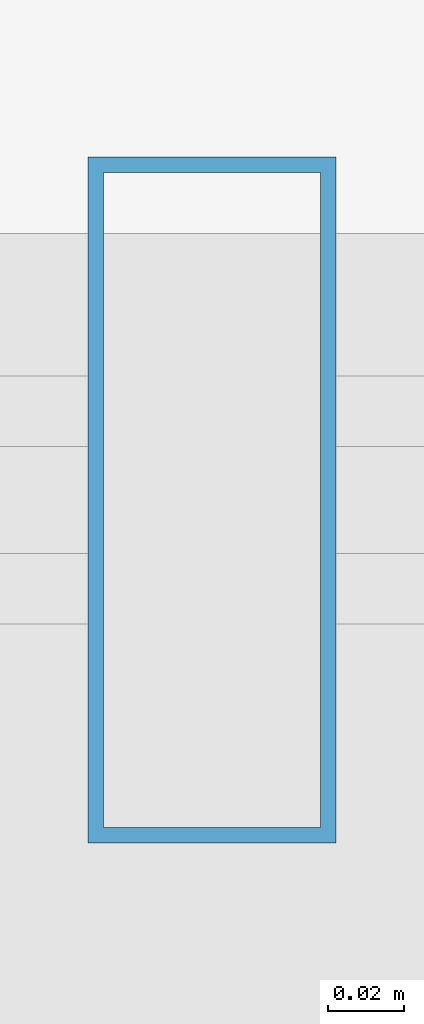
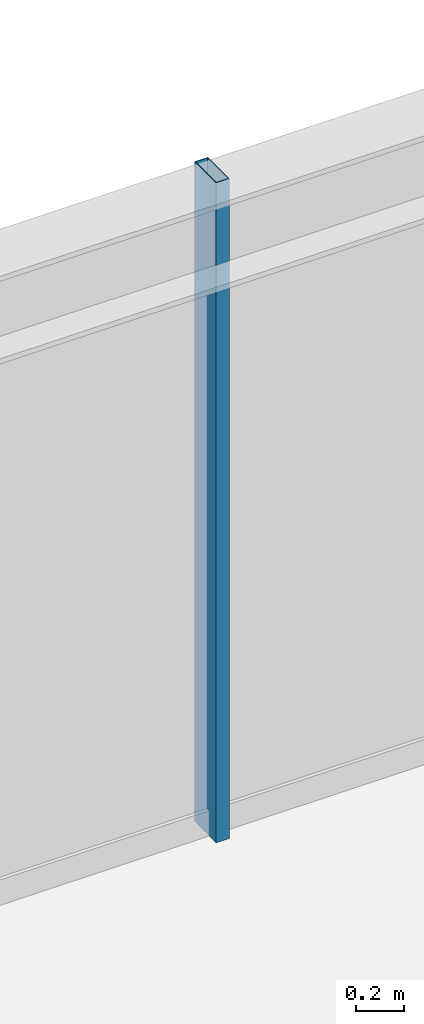
# One storey, part 19 of 33: 1 member, 1 element without a shape of its own.
"""IFC4 building model written with IfcOpenShell, lengths in metres."""

from ifc_helpers import new_model, si_unit, direction, frame, origin, origin_2d, place, context, subcontext, project, spatial, hollow_rectangle, extrude, source, transform, mapped, material, material_profile, profile_set, type_object, element, aggregate, save


model = new_model("IFC4")

# Units and contexts
model_context = context("Model", 3, precision=1e-05, world=origin(), true_north=direction((0.0, 1.0)))
body_context = subcontext(model_context, "Body", "Model", "MODEL_VIEW")
ifc_project = project(units=[si_unit("LENGTHUNIT", "METRE"), si_unit("AREAUNIT", "SQUARE_METRE"), si_unit("VOLUMEUNIT", "CUBIC_METRE"), si_unit("PLANEANGLEUNIT", "RADIAN"), si_unit("MASSUNIT", "GRAM", prefix="KILO")], contexts=[model_context])

# Site, building, storey
site_placement = place(None, origin())
site = spatial("IfcSite", under=ifc_project, at=site_placement, CompositionType="ELEMENT")
building_placement = place(site_placement, origin())
building = spatial("IfcBuilding", under=site, at=building_placement, Name="Nahalor Promenade Grand Hotel", CompositionType="ELEMENT")
storey_placement = place(building_placement, frame((0.0, 0.0, 149.0)))
storey = spatial("IfcBuildingStorey", under=building, at=storey_placement, Name="L37", CompositionType="ELEMENT", Elevation=149.0)

# Curtain wall, member
ifc_material = material(Name="Anodised Bronze Aluminium EN AW-6063 T6", Category="aluminium")
curtain_wall_type = type_object("IfcCurtainWallType", Name="CW2 Typical Hotel Flush Bronze Unitised Curtain Wall", PredefinedType="USERDEFINED", material=ifc_material)
curtain_wall_placement = place(storey_placement, origin())
curtain_wall = element("IfcCurtainWall", 1, at=curtain_wall_placement, inside=storey, type_object=curtain_wall_type, Name="L37 Curtain Wall CW-L37-N-1", ObjectType="UNITISED_CURTAIN_WALL", PredefinedType="USERDEFINED")
ifc_material_profile = material_profile(ifc_material, hollow_rectangle(XDim=0.065, YDim=0.18, WallThickness=0.004, at=origin_2d()), Name="CWM 65x180x4")
ifc_profile_set = profile_set([ifc_material_profile], Name="Anodised Bronze Aluminium EN AW-6063 T6")
member_type = type_object("IfcMemberType", Name="CWM2 Typical Bronze Mullion 65x180", PredefinedType="MULLION", material=ifc_profile_set)
shared_shape = source(origin(), body_context, "Body", "SweptSolid", [
    extrude(hollow_rectangle(XDim=0.065, YDim=0.18, WallThickness=0.004, at=origin_2d()), origin(), (0.0, 0.0, 1.0), 3.389892578125),
])
member_placement = place(storey_placement, frame((6.586669921875, 22.56005859375, 0.0), z_axis=(0.0, 0.0, 1.0), x_axis=(1.0, 0.0, 0.0)))
member = element("IfcMember", 2, at=member_placement, type_object=member_type, Name="CW-L37-N-1 Mullion 2", PredefinedType="MULLION", context=body_context, shape_type="MappedRepresentation", body=[
    mapped(shared_shape, transform((0.0, 0.0, 0.0), scale=1.0)),
])
aggregate(curtain_wall, [member])

save(model, "model.ifc")
